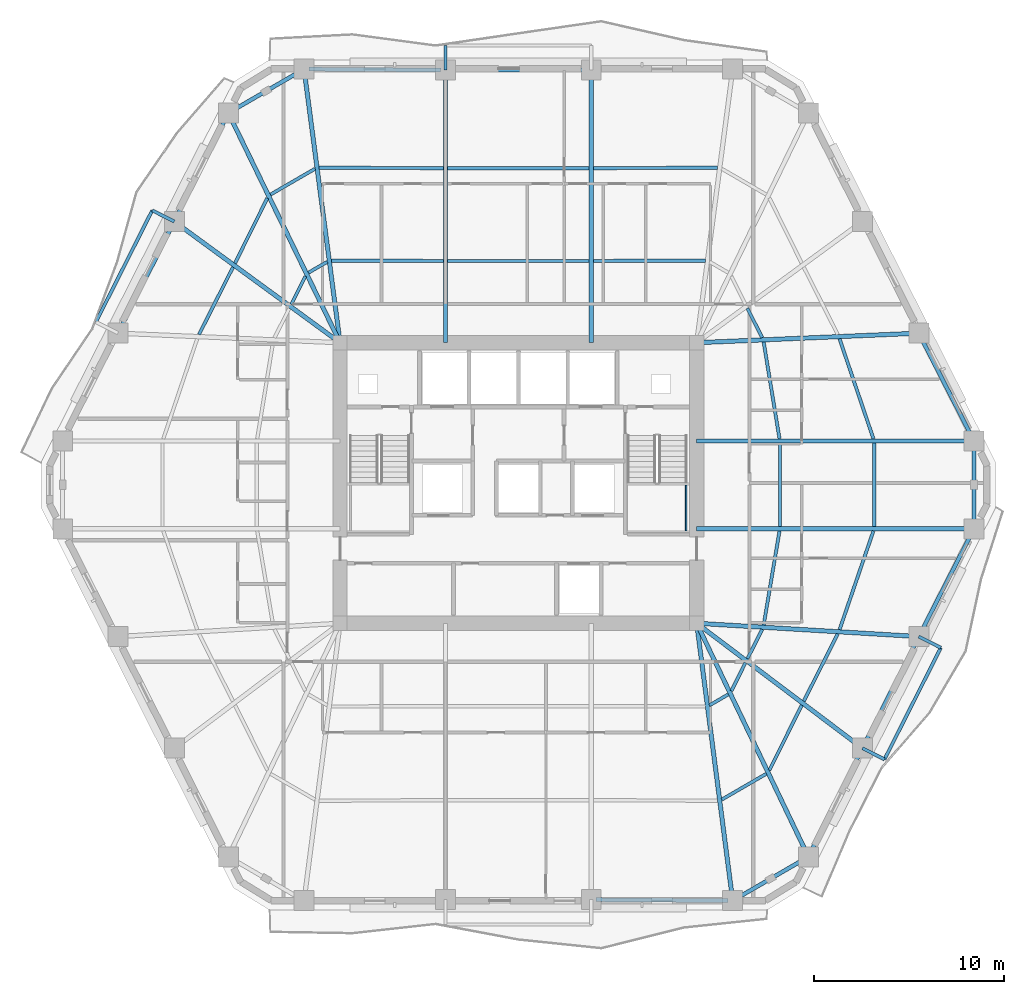
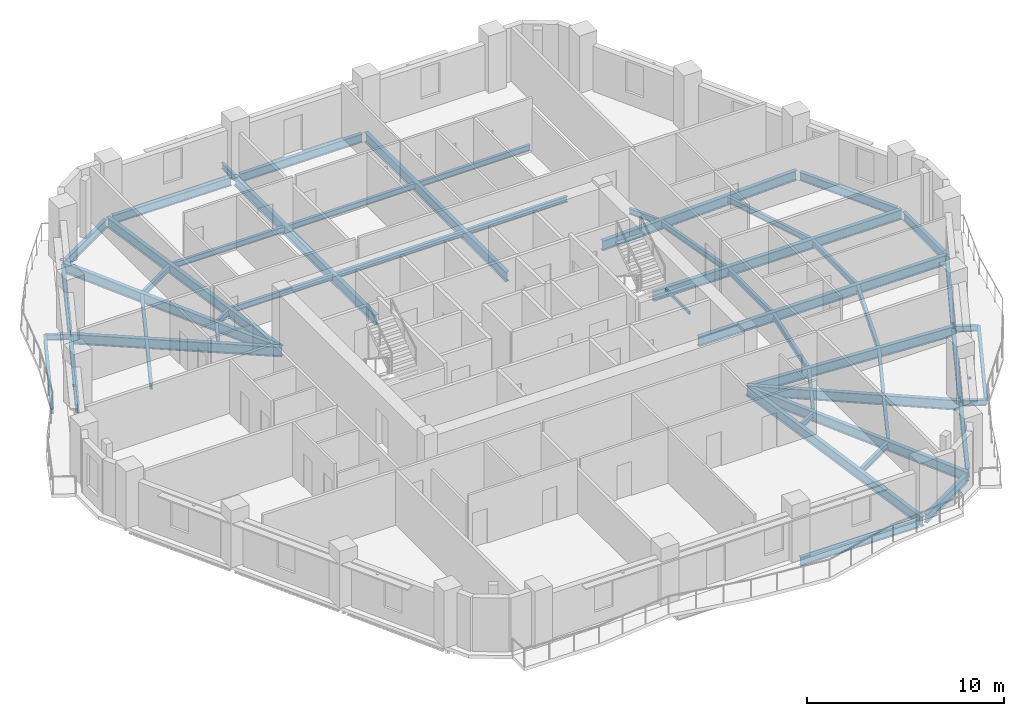
# One storey, part 2 of 12: 55 beams.
"""IFC4 building model written with IfcOpenShell, lengths in metres."""

from ifc_helpers import new_model, si_unit, direction, frame, origin, origin_2d, place, context, subcontext, project, spatial, hollow_rectangle, i_section, extrude, material, material_profile, profile_set, type_object, element, save


model = new_model("IFC4")

# Units and contexts
model_context = context("Model", 3, precision=1e-05, world=origin(), true_north=direction((0.0, 1.0)))
body_context = subcontext(model_context, "Body", "Model", "MODEL_VIEW")
ifc_project = project(units=[si_unit("LENGTHUNIT", "METRE"), si_unit("AREAUNIT", "SQUARE_METRE"), si_unit("VOLUMEUNIT", "CUBIC_METRE"), si_unit("PLANEANGLEUNIT", "RADIAN"), si_unit("MASSUNIT", "GRAM", prefix="KILO")], contexts=[model_context])

# Site, building, storey
site_placement = place(None, origin())
site = spatial("IfcSite", under=ifc_project, at=site_placement, CompositionType="ELEMENT")
building_placement = place(site_placement, origin())
building = spatial("IfcBuilding", under=site, at=building_placement, Name="Cinnabar Lancet Tower", CompositionType="ELEMENT")
storey_placement = place(building_placement, frame((0.0, 0.0, 137.449951171875)))
storey = spatial("IfcBuildingStorey", under=building, at=storey_placement, Name="L36", CompositionType="ELEMENT", Elevation=137.449951171875)

# Beams
ifc_material_1 = material(Name="Structural steel S355", Category="steel")
ifc_material_profile_1 = material_profile(ifc_material_1, i_section(OverallWidth=0.17138671875, OverallDepth=0.35498046875, WebThickness=0.00732421875, FlangeThickness=0.011474609375, FilletRadius=0.01025390625, at=origin_2d()), Name="UKB 356x171x51")
ifc_profile_set_1 = profile_set([ifc_material_profile_1], Name="Structural steel S355")
beam_type_1 = type_object("IfcBeamType", Name="STR-BM-JST-356", PredefinedType="JOIST", material=ifc_profile_set_1)
beam_1_placement = place(storey_placement, frame((43.093994140625, 9.251953125, -0.387939453125), z_axis=(0.865172906898, 0.501473669469, 0.0), x_axis=(-0.501473669469, 0.865172906898, 0.0)))
element("IfcBeam", 1, at=beam_1_placement, inside=storey, type_object=beam_type_1, Name="L36 Secondary Floor Joist 15", PredefinedType="JOIST", context=body_context, shape_type="SweptSolid", body=[
    extrude(i_section(OverallWidth=0.17138671875, OverallDepth=0.35498046875, WebThickness=0.00732421875, FlangeThickness=0.011474609375, FilletRadius=0.01025390625, at=origin_2d()), origin(), (0.0, 0.0, 1.0), 2.705810546875),
])
beam_2_placement = place(storey_placement, frame((42.449951171875, 14.2109375, -0.387939453125), z_axis=(0.865055308165, 0.501676503154, 0.0), x_axis=(-0.501676503154, 0.865055308165, 0.0)))
element("IfcBeam", 2, at=beam_2_placement, inside=storey, type_object=beam_type_1, Name="L36 Secondary Floor Joist 16", PredefinedType="JOIST", context=body_context, shape_type="SweptSolid", body=[
    extrude(i_section(OverallWidth=0.17138671875, OverallDepth=0.35498046875, WebThickness=0.00732421875, FlangeThickness=0.011474609375, FilletRadius=0.01025390625, at=origin_2d()), origin(), (0.0, 0.0, 1.0), 1.14208984375),
])
beam_3_placement = place(storey_placement, frame((45.59912109375, 10.7958984375, -0.387939453125), z_axis=(0.445295120803, 0.895383859241, 0.0), x_axis=(-0.895383859241, 0.445295120803, 0.0)))
element("IfcBeam", 3, at=beam_3_placement, inside=storey, type_object=beam_type_1, Name="L36 Secondary Floor Joist 17", PredefinedType="JOIST", context=body_context, shape_type="SweptSolid", body=[
    extrude(i_section(OverallWidth=0.17138671875, OverallDepth=0.35498046875, WebThickness=0.00732421875, FlangeThickness=0.011474609375, FilletRadius=0.01025390625, at=origin_2d()), origin(), (0.0, 0.0, 1.0), 3.81982421875),
])
beam_4_placement = place(storey_placement, frame((43.60205078125, 14.970947265625, -0.387939453125), z_axis=(0.44543923568, 0.895312173109, 0.0), x_axis=(-0.895312173109, 0.44543923568, 0.0)))
element("IfcBeam", 4, at=beam_4_placement, inside=storey, type_object=beam_type_1, Name="L36 Secondary Floor Joist 18", PredefinedType="JOIST", context=body_context, shape_type="SweptSolid", body=[
    extrude(i_section(OverallWidth=0.17138671875, OverallDepth=0.35498046875, WebThickness=0.00732421875, FlangeThickness=0.011474609375, FilletRadius=0.01025390625, at=origin_2d()), origin(), (0.0, 0.0, 1.0), 1.65185546875),
])
beam_5_placement = place(storey_placement, frame((47.404052734375, 14.424072265625, -0.387939453125), z_axis=(0.450706028652, 0.892672434736, 0.0), x_axis=(-0.892672434736, 0.450706028652, 0.0)))
element("IfcBeam", 5, at=beam_5_placement, inside=storey, type_object=beam_type_1, Name="L36 Secondary Floor Joist 19", PredefinedType="JOIST", context=body_context, shape_type="SweptSolid", body=[
    extrude(i_section(OverallWidth=0.17138671875, OverallDepth=0.35498046875, WebThickness=0.00732421875, FlangeThickness=0.011474609375, FilletRadius=0.01025390625, at=origin_2d()), origin(), (0.0, 0.0, 1.0), 3.966796875),
])
beam_6_placement = place(storey_placement, frame((44.44091796875, 16.657958984375, -0.387939453125), z_axis=(0.450874341268, 0.892587434589, 0.0), x_axis=(-0.892587434589, 0.450874341268, 0.0)))
element("IfcBeam", 6, at=beam_6_placement, inside=storey, type_object=beam_type_1, Name="L36 Secondary Floor Joist 20", PredefinedType="JOIST", context=body_context, shape_type="SweptSolid", body=[
    extrude(i_section(OverallWidth=0.17138671875, OverallDepth=0.35498046875, WebThickness=0.00732421875, FlangeThickness=0.011474609375, FilletRadius=0.01025390625, at=origin_2d()), origin(), (0.0, 0.0, 1.0), 1.732177734375),
])
beam_7_placement = place(storey_placement, frame((49.287109375, 18.18798828125, -0.387939453125), z_axis=(0.324639458548, 0.945837841257, 0.0), x_axis=(-0.945837841257, 0.324639458548, 0.0)))
element("IfcBeam", 7, at=beam_7_placement, inside=storey, type_object=beam_type_1, Name="L36 Secondary Floor Joist 21", PredefinedType="JOIST", context=body_context, shape_type="SweptSolid", body=[
    extrude(i_section(OverallWidth=0.17138671875, OverallDepth=0.35498046875, WebThickness=0.00732421875, FlangeThickness=0.011474609375, FilletRadius=0.01025390625, at=origin_2d()), origin(), (0.0, 0.0, 1.0), 5.486083984375),
])
beam_8_placement = place(storey_placement, frame((45.297119140625, 18.427978515625, -0.387939453125), z_axis=(0.165937104691, 0.986136338082, 0.0), x_axis=(-0.986136338082, 0.165937104691, 0.0)))
element("IfcBeam", 8, at=beam_8_placement, inside=storey, type_object=beam_type_1, Name="L36 Secondary Floor Joist 22", PredefinedType="JOIST", context=body_context, shape_type="SweptSolid", body=[
    extrude(i_section(OverallWidth=0.17138671875, OverallDepth=0.35498046875, WebThickness=0.00732421875, FlangeThickness=0.011474609375, FilletRadius=0.01025390625, at=origin_2d()), origin(), (0.0, 0.0, 1.0), 5.0185546875),
])
for number, where, z_axis, x_axis, name in (
    (9, (51.10693359375, 23.60498046875, -0.387939453125), (0.0, 1.0, 0.0), (-1.0, 0.0, 0.0), "L36 Secondary Floor Joist 23"),
    (10, (46.14990234375, 23.60498046875, -0.387939453125), (0.0, 1.0, 0.0), (-1.0, 0.0, 0.0), "L36 Secondary Floor Joist 24"),
):
    element("IfcBeam", number, at=place(storey_placement, frame(where, z_axis=z_axis, x_axis=x_axis)), inside=storey, type_object=beam_type_1, Name=name, PredefinedType="JOIST", context=body_context, shape_type="SweptSolid", body=[
        extrude(i_section(OverallWidth=0.17138671875, OverallDepth=0.35498046875, WebThickness=0.00732421875, FlangeThickness=0.011474609375, FilletRadius=0.01025390625, at=origin_2d()), origin(), (0.0, 0.0, 1.0), 4.39013671875),
    ])
beam_9_placement = place(storey_placement, frame((51.069091796875, 28.222900390625, -0.387939453125), z_axis=(-0.321063338019, 0.947057724207, 0.0), x_axis=(-0.947057724207, -0.321063338019, 0.0)))
element("IfcBeam", 11, at=beam_9_placement, inside=storey, type_object=beam_type_1, Name="L36 Secondary Floor Joist 25", PredefinedType="JOIST", context=body_context, shape_type="SweptSolid", body=[
    extrude(i_section(OverallWidth=0.17138671875, OverallDepth=0.35498046875, WebThickness=0.00732421875, FlangeThickness=0.011474609375, FilletRadius=0.01025390625, at=origin_2d()), origin(), (0.0, 0.0, 1.0), 5.553955078125),
])
beam_10_placement = place(storey_placement, frame((46.131103515625, 28.222900390625, -0.387939453125), z_axis=(-0.161719098977, 0.986836832017, 0.0), x_axis=(-0.986836832017, -0.161719098977, 0.0)))
element("IfcBeam", 12, at=beam_10_placement, inside=storey, type_object=beam_type_1, Name="L36 Secondary Floor Joist 26", PredefinedType="JOIST", context=body_context, shape_type="SweptSolid", body=[
    extrude(i_section(OverallWidth=0.17138671875, OverallDepth=0.35498046875, WebThickness=0.00732421875, FlangeThickness=0.011474609375, FilletRadius=0.01025390625, at=origin_2d()), origin(), (0.0, 0.0, 1.0), 5.156982421875),
])
beam_11_placement = place(storey_placement, frame((45.221923828125, 33.537109375, -0.387939453125), z_axis=(-0.450931068976, 0.892558777354, 0.0), x_axis=(-0.892558777354, -0.450931068976, 0.0)))
element("IfcBeam", 13, at=beam_11_placement, inside=storey, type_object=beam_type_1, Name="L36 Secondary Floor Joist 28", PredefinedType="JOIST", context=body_context, shape_type="SweptSolid", body=[
    extrude(i_section(OverallWidth=0.17138671875, OverallDepth=0.35498046875, WebThickness=0.00732421875, FlangeThickness=0.011474609375, FilletRadius=0.01025390625, at=origin_2d()), origin(), (0.0, 0.0, 1.0), 1.73193359375),
])
beam_12_placement = place(storey_placement, frame((42.8720703125, 42.48095703125, -0.387939453125), z_axis=(-0.999987991898, -0.004900618269, 0.0), x_axis=(0.004900618269, -0.999987991898, 0.0)))
element("IfcBeam", 14, at=beam_12_placement, inside=storey, type_object=beam_type_1, Name="L36 Secondary Floor Joist 33", PredefinedType="JOIST", context=body_context, shape_type="SweptSolid", body=[
    extrude(i_section(OverallWidth=0.17138671875, OverallDepth=0.35498046875, WebThickness=0.00732421875, FlangeThickness=0.011474609375, FilletRadius=0.01025390625, at=origin_2d()), origin(), (0.0, 0.0, 1.0), 6.526123046875),
])
beam_13_placement = place(storey_placement, frame((42.22802734375, 37.591064453125, -0.387939453125), z_axis=(-0.999996247906, -0.002739374605, 0.0), x_axis=(0.002739374605, -0.999996247906, 0.0)))
element("IfcBeam", 15, at=beam_13_placement, inside=storey, type_object=beam_type_1, Name="L36 Secondary Floor Joist 34", PredefinedType="JOIST", context=body_context, shape_type="SweptSolid", body=[
    extrude(i_section(OverallWidth=0.17138671875, OverallDepth=0.35498046875, WebThickness=0.00732421875, FlangeThickness=0.011474609375, FilletRadius=0.01025390625, at=origin_2d()), origin(), (0.0, 0.0, 1.0), 5.882080078125),
])
for number, where, z_axis, x_axis, name in (
    (16, (36.117919921875, 42.447998046875, -0.387939453125), (-1.0, 0.0, 0.0), (0.0, -1.0, 0.0), "L36 Secondary Floor Joist 35"),
    (17, (36.117919921875, 37.574951171875, -0.387939453125), (-1.0, 0.0, 0.0), (0.0, -1.0, 0.0), "L36 Secondary Floor Joist 36"),
):
    element("IfcBeam", number, at=place(storey_placement, frame(where, z_axis=z_axis, x_axis=x_axis)), inside=storey, type_object=beam_type_1, Name=name, PredefinedType="JOIST", context=body_context, shape_type="SweptSolid", body=[
        extrude(i_section(OverallWidth=0.17138671875, OverallDepth=0.35498046875, WebThickness=0.00732421875, FlangeThickness=0.011474609375, FilletRadius=0.01025390625, at=origin_2d()), origin(), (0.0, 0.0, 1.0), 7.43603515625),
    ])
beam_14_placement = place(storey_placement, frame((28.4541015625, 42.448974609375, -0.387939453125), z_axis=(-0.999987991898, 0.004900618269, 0.0), x_axis=(-0.004900618269, -0.999987991898, 0.0)))
element("IfcBeam", 18, at=beam_14_placement, inside=storey, type_object=beam_type_1, Name="L36 Secondary Floor Joist 37", PredefinedType="JOIST", context=body_context, shape_type="SweptSolid", body=[
    extrude(i_section(OverallWidth=0.17138671875, OverallDepth=0.35498046875, WebThickness=0.00732421875, FlangeThickness=0.011474609375, FilletRadius=0.01025390625, at=origin_2d()), origin(), (0.0, 0.0, 1.0), 6.526123046875),
])
beam_15_placement = place(storey_placement, frame((28.4541015625, 37.574951171875, -0.387939453125), z_axis=(-0.999996247906, 0.002739374605, 0.0), x_axis=(-0.002739374605, -0.999996247906, 0.0)))
element("IfcBeam", 19, at=beam_15_placement, inside=storey, type_object=beam_type_1, Name="L36 Secondary Floor Joist 38", PredefinedType="JOIST", context=body_context, shape_type="SweptSolid", body=[
    extrude(i_section(OverallWidth=0.17138671875, OverallDepth=0.35498046875, WebThickness=0.00732421875, FlangeThickness=0.011474609375, FilletRadius=0.01025390625, at=origin_2d()), origin(), (0.0, 0.0, 1.0), 5.882080078125),
])
beam_16_placement = place(storey_placement, frame((21.7060546875, 42.419921875, -0.387939453125), z_axis=(-0.865172906898, -0.501473669469, 0.0), x_axis=(0.501473669469, -0.865172906898, 0.0)))
element("IfcBeam", 20, at=beam_16_placement, inside=storey, type_object=beam_type_1, Name="L36 Secondary Floor Joist 39", PredefinedType="JOIST", context=body_context, shape_type="SweptSolid", body=[
    extrude(i_section(OverallWidth=0.17138671875, OverallDepth=0.35498046875, WebThickness=0.00732421875, FlangeThickness=0.011474609375, FilletRadius=0.01025390625, at=origin_2d()), origin(), (0.0, 0.0, 1.0), 2.705810546875),
])
beam_17_placement = place(storey_placement, frame((22.35009765625, 37.529052734375, -0.387939453125), z_axis=(-0.865055308165, -0.501676503154, 0.0), x_axis=(0.501676503154, -0.865055308165, 0.0)))
element("IfcBeam", 21, at=beam_17_placement, inside=storey, type_object=beam_type_1, Name="L36 Secondary Floor Joist 40", PredefinedType="JOIST", context=body_context, shape_type="SweptSolid", body=[
    extrude(i_section(OverallWidth=0.17138671875, OverallDepth=0.35498046875, WebThickness=0.00732421875, FlangeThickness=0.011474609375, FilletRadius=0.01025390625, at=origin_2d()), origin(), (0.0, 0.0, 1.0), 1.14208984375),
])
beam_18_placement = place(storey_placement, frame((19.200927734375, 40.876953125, -0.387939453125), z_axis=(-0.445116798807, -0.895472520751, 0.0), x_axis=(0.895472520751, -0.445116798807, 0.0)))
element("IfcBeam", 22, at=beam_18_placement, inside=storey, type_object=beam_type_1, Name="L36 Secondary Floor Joist 41", PredefinedType="JOIST", context=body_context, shape_type="SweptSolid", body=[
    extrude(i_section(OverallWidth=0.17138671875, OverallDepth=0.35498046875, WebThickness=0.00732421875, FlangeThickness=0.011474609375, FilletRadius=0.01025390625, at=origin_2d()), origin(), (0.0, 0.0, 1.0), 3.8212890625),
])
beam_19_placement = place(storey_placement, frame((21.198974609375, 36.77001953125, -0.387939453125), z_axis=(-0.445795466264, -0.895134851438, 0.0), x_axis=(0.895134851438, -0.445795466264, 0.0)))
element("IfcBeam", 23, at=beam_19_placement, inside=storey, type_object=beam_type_1, Name="L36 Secondary Floor Joist 42", PredefinedType="JOIST", context=body_context, shape_type="SweptSolid", body=[
    extrude(i_section(OverallWidth=0.17138671875, OverallDepth=0.35498046875, WebThickness=0.00732421875, FlangeThickness=0.011474609375, FilletRadius=0.01025390625, at=origin_2d()), origin(), (0.0, 0.0, 1.0), 1.6533203125),
])
beam_20_placement = place(storey_placement, frame((17.39599609375, 37.2490234375, -0.387939453125), z_axis=(-0.450656035687, -0.892697674187, 0.0), x_axis=(0.892697674187, -0.450656035687, 0.0)))
element("IfcBeam", 24, at=beam_20_placement, inside=storey, type_object=beam_type_1, Name="L36 Secondary Floor Joist 43", PredefinedType="JOIST", context=body_context, shape_type="SweptSolid", body=[
    extrude(i_section(OverallWidth=0.17138671875, OverallDepth=0.35498046875, WebThickness=0.00732421875, FlangeThickness=0.011474609375, FilletRadius=0.01025390625, at=origin_2d()), origin(), (0.0, 0.0, 1.0), 3.9677734375),
])
ifc_material_2 = material(Name="Structural steel S355", Category="steel")
ifc_material_profile_2 = material_profile(ifc_material_2, hollow_rectangle(XDim=0.10009765625, YDim=0.199951171875, WallThickness=0.008056640625, InnerFilletRadius=0.00390625, OuterFilletRadius=0.011962890625, at=origin_2d()), Name="RHS 200x100x8")
ifc_profile_set_2 = profile_set([ifc_material_profile_2], Name="Structural steel S355")
beam_type_2 = type_object("IfcBeamType", Name="STR-BM-LND-203", PredefinedType="BEAM", material=ifc_profile_set_2)
beam_21_placement = place(storey_placement, frame((41.219970703125, 23.3798828125, 1.47509765625), z_axis=(0.0, 1.0, 0.0), x_axis=(-1.0, 0.0, 0.0)))
element("IfcBeam", 25, at=beam_21_placement, inside=storey, type_object=beam_type_2, Name="L36 ST-2-L36 Landing Side Trimmer Beam", PredefinedType="BEAM", context=body_context, shape_type="SweptSolid", body=[
    extrude(hollow_rectangle(XDim=0.10009765625, YDim=0.199951171875, WallThickness=0.008056640625, InnerFilletRadius=0.00390625, OuterFilletRadius=0.011962890625, at=origin_2d()), origin(), (0.0, 0.0, 1.0), 2.4150390625),
])
ifc_material_3 = material(Name="Structural steel S355", Category="steel")
ifc_material_profile_3 = material_profile(ifc_material_3, i_section(OverallWidth=0.209228515625, OverallDepth=0.533203125, WebThickness=0.010009765625, FlangeThickness=0.015625, FilletRadius=0.0126953125, at=origin_2d()), Name="UKB 533x210x92")
ifc_profile_set_3 = profile_set([ifc_material_profile_3], Name="Structural steel S355")
beam_type_3 = type_object("IfcBeamType", Name="STR-BM-SPN-533", PredefinedType="SPANDREL", material=ifc_profile_set_3)
beam_22_placement = place(storey_placement, frame((36.48193359375, 3.989990234375, -0.47705078125), z_axis=(0.999974980359, -0.007073800628, 0.0), x_axis=(0.007073800628, 0.999974980359, 0.0)))
element("IfcBeam", 26, at=beam_22_placement, inside=storey, type_object=beam_type_3, Name="L36 Perimeter Spandrel 3", PredefinedType="SPANDREL", context=body_context, shape_type="SweptSolid", body=[
    extrude(i_section(OverallWidth=0.209228515625, OverallDepth=0.533203125, WebThickness=0.010009765625, FlangeThickness=0.015625, FilletRadius=0.0126953125, at=origin_2d()), origin(), (0.0, 0.0, 1.0), 6.937255859375),
])
beam_23_placement = place(storey_placement, frame((43.885009765625, 4.06396484375, -0.47705078125), z_axis=(0.865112299906, 0.501578217781, 0.0), x_axis=(-0.501578217781, 0.865112299906, 0.0)))
element("IfcBeam", 27, at=beam_23_placement, inside=storey, type_object=beam_type_3, Name="L36 Perimeter Spandrel 4", PredefinedType="SPANDREL", context=body_context, shape_type="SweptSolid", body=[
    extrude(i_section(OverallWidth=0.209228515625, OverallDepth=0.533203125, WebThickness=0.010009765625, FlangeThickness=0.015625, FilletRadius=0.0126953125, at=origin_2d()), origin(), (0.0, 0.0, 1.0), 4.101318359375),
])
beam_24_placement = place(storey_placement, frame((47.760009765625, 6.469970703125, -0.47705078125), z_axis=(0.445501068635, 0.89528140707, 0.0), x_axis=(-0.89528140707, 0.445501068635, 0.0)))
element("IfcBeam", 28, at=beam_24_placement, inside=storey, type_object=beam_type_3, Name="L36 Perimeter Spandrel 5", PredefinedType="SPANDREL", context=body_context, shape_type="SweptSolid", body=[
    extrude(i_section(OverallWidth=0.209228515625, OverallDepth=0.533203125, WebThickness=0.010009765625, FlangeThickness=0.015625, FilletRadius=0.0126953125, at=origin_2d()), origin(), (0.0, 0.0, 1.0), 5.87646484375),
])
beam_25_placement = place(storey_placement, frame((50.60205078125, 12.177978515625, -0.47705078125), z_axis=(0.450570325924, 0.892740937449, 0.0), x_axis=(-0.892740937449, 0.450570325924, 0.0)))
element("IfcBeam", 29, at=beam_25_placement, inside=storey, type_object=beam_type_3, Name="L36 Perimeter Spandrel 6", PredefinedType="SPANDREL", context=body_context, shape_type="SweptSolid", body=[
    extrude(i_section(OverallWidth=0.209228515625, OverallDepth=0.533203125, WebThickness=0.010009765625, FlangeThickness=0.015625, FilletRadius=0.0126953125, at=origin_2d()), origin(), (0.0, 0.0, 1.0), 6.07470703125),
])
beam_26_placement = place(storey_placement, frame((53.56591796875, 18.0458984375, -0.47705078125), z_axis=(0.456109733574, 0.889923542187, 0.0), x_axis=(-0.889923542187, 0.456109733574, 0.0)))
element("IfcBeam", 30, at=beam_26_placement, inside=storey, type_object=beam_type_3, Name="L36 Perimeter Spandrel 7", PredefinedType="SPANDREL", context=body_context, shape_type="SweptSolid", body=[
    extrude(i_section(OverallWidth=0.209228515625, OverallDepth=0.533203125, WebThickness=0.010009765625, FlangeThickness=0.015625, FilletRadius=0.0126953125, at=origin_2d()), origin(), (0.0, 0.0, 1.0), 5.869140625),
])
beam_27_placement = place(storey_placement, frame((56.35693359375, 23.740966796875, -0.47705078125), z_axis=(0.0, 1.0, 0.0), x_axis=(-1.0, 0.0, 0.0)))
element("IfcBeam", 31, at=beam_27_placement, inside=storey, type_object=beam_type_3, Name="L36 Perimeter Spandrel 8", PredefinedType="SPANDREL", context=body_context, shape_type="SweptSolid", body=[
    extrude(i_section(OverallWidth=0.209228515625, OverallDepth=0.533203125, WebThickness=0.010009765625, FlangeThickness=0.015625, FilletRadius=0.0126953125, at=origin_2d()), origin(), (0.0, 0.0, 1.0), 4.117919921875),
])
beam_28_placement = place(storey_placement, frame((56.242919921875, 28.3310546875, -0.47705078125), z_axis=(-0.456126618405, 0.889914888055, 0.0), x_axis=(-0.889914888055, -0.456126618405, 0.0)))
element("IfcBeam", 32, at=beam_28_placement, inside=storey, type_object=beam_type_3, Name="L36 Perimeter Spandrel 9", PredefinedType="SPANDREL", context=body_context, shape_type="SweptSolid", body=[
    extrude(i_section(OverallWidth=0.209228515625, OverallDepth=0.533203125, WebThickness=0.010009765625, FlangeThickness=0.015625, FilletRadius=0.0126953125, at=origin_2d()), origin(), (0.0, 0.0, 1.0), 5.868896484375),
])
beam_29_placement = place(storey_placement, frame((35.98193359375, 47.60791015625, -0.47705078125), z_axis=(-1.0, 0.0, 0.0), x_axis=(0.0, -1.0, 0.0)))
element("IfcBeam", 33, at=beam_29_placement, inside=storey, type_object=beam_type_3, Name="L36 Perimeter Spandrel 14", PredefinedType="SPANDREL", context=body_context, shape_type="SweptSolid", body=[
    extrude(i_section(OverallWidth=0.209228515625, OverallDepth=0.533203125, WebThickness=0.010009765625, FlangeThickness=0.015625, FilletRadius=0.0126953125, at=origin_2d()), origin(), (0.0, 0.0, 1.0), 7.163818359375),
])
beam_30_placement = place(storey_placement, frame((28.318115234375, 47.610107421875, -0.47705078125), z_axis=(-0.999975228682, 0.007038609338, 0.0), x_axis=(-0.007038609338, -0.999975228682, 0.0)))
element("IfcBeam", 34, at=beam_30_placement, inside=storey, type_object=beam_type_3, Name="L36 Perimeter Spandrel 15", PredefinedType="SPANDREL", context=body_context, shape_type="SweptSolid", body=[
    extrude(i_section(OverallWidth=0.209228515625, OverallDepth=0.533203125, WebThickness=0.010009765625, FlangeThickness=0.015625, FilletRadius=0.0126953125, at=origin_2d()), origin(), (0.0, 0.0, 1.0), 6.937255859375),
])
beam_31_placement = place(storey_placement, frame((20.9150390625, 47.535888671875, -0.47705078125), z_axis=(-0.865138129765, -0.5015336643, 0.0), x_axis=(0.5015336643, -0.865138129765, 0.0)))
element("IfcBeam", 35, at=beam_31_placement, inside=storey, type_object=beam_type_3, Name="L36 Perimeter Spandrel 16", PredefinedType="SPANDREL", context=body_context, shape_type="SweptSolid", body=[
    extrude(i_section(OverallWidth=0.209228515625, OverallDepth=0.533203125, WebThickness=0.010009765625, FlangeThickness=0.015625, FilletRadius=0.0126953125, at=origin_2d()), origin(), (0.0, 0.0, 1.0), 4.10107421875),
])
beam_32_placement = place(storey_placement, frame((17.0400390625, 45.1298828125, -0.47705078125), z_axis=(-0.445501068635, -0.89528140707, 0.0), x_axis=(0.89528140707, -0.445501068635, 0.0)))
element("IfcBeam", 36, at=beam_32_placement, inside=storey, type_object=beam_type_3, Name="L36 Perimeter Spandrel 17", PredefinedType="SPANDREL", context=body_context, shape_type="SweptSolid", body=[
    extrude(i_section(OverallWidth=0.209228515625, OverallDepth=0.533203125, WebThickness=0.010009765625, FlangeThickness=0.015625, FilletRadius=0.0126953125, at=origin_2d()), origin(), (0.0, 0.0, 1.0), 5.87646484375),
])
beam_33_placement = place(storey_placement, frame((14.197998046875, 39.422119140625, -0.47705078125), z_axis=(-0.450570325924, -0.892740937449, 0.0), x_axis=(0.892740937449, -0.450570325924, 0.0)))
element("IfcBeam", 37, at=beam_33_placement, inside=storey, type_object=beam_type_3, Name="L36 Perimeter Spandrel 18", PredefinedType="SPANDREL", context=body_context, shape_type="SweptSolid", body=[
    extrude(i_section(OverallWidth=0.209228515625, OverallDepth=0.533203125, WebThickness=0.010009765625, FlangeThickness=0.015625, FilletRadius=0.0126953125, at=origin_2d()), origin(), (0.0, 0.0, 1.0), 6.07470703125),
])
ifc_material_4 = material(Name="Structural steel S355", Category="steel")
ifc_material_profile_4 = material_profile(ifc_material_4, i_section(OverallWidth=0.228271484375, OverallDepth=0.607666015625, WebThickness=0.010986328125, FlangeThickness=0.017333984375, FilletRadius=0.0126953125, at=origin_2d()), Name="UKB 610x229x113")
ifc_profile_set_4 = profile_set([ifc_material_profile_4], Name="Structural steel S355")
beam_type_4 = type_object("IfcBeamType", Name="STR-BM-UKB610-113", PredefinedType="BEAM", material=ifc_profile_set_4)
beam_34_placement = place(storey_placement, frame((50.489013671875, 11.955078125, -0.513916015625), z_axis=(-0.798491457835, 0.602006139308, 0.0), x_axis=(-0.602006139308, -0.798491457835, 0.0)))
element("IfcBeam", 38, at=beam_34_placement, inside=storey, type_object=beam_type_4, Name="L36 Corner Collector Girder 2", PredefinedType="BEAM", context=body_context, shape_type="SweptSolid", body=[
    extrude(i_section(OverallWidth=0.228271484375, OverallDepth=0.607666015625, WebThickness=0.010986328125, FlangeThickness=0.017333984375, FilletRadius=0.0126953125, at=origin_2d()), origin(), (0.0, 0.0, 1.0), 10.913330078125),
])
beam_35_placement = place(storey_placement, frame((14.31103515625, 39.64501953125, -0.513916015625), z_axis=(0.807289993592, -0.590154951048, 0.0), x_axis=(0.590154951048, 0.807289993592, 0.0)))
element("IfcBeam", 39, at=beam_35_placement, inside=storey, type_object=beam_type_4, Name="L36 Corner Collector Girder 4", PredefinedType="BEAM", context=body_context, shape_type="SweptSolid", body=[
    extrude(i_section(OverallWidth=0.228271484375, OverallDepth=0.607666015625, WebThickness=0.010986328125, FlangeThickness=0.017333984375, FilletRadius=0.0126953125, at=origin_2d()), origin(), (0.0, 0.0, 1.0), 10.7939453125),
])
beam_36_placement = place(storey_placement, frame((43.6689453125, 3.93896484375, -0.513916015625), z_axis=(-0.12877289353, 0.99167411073, 0.0), x_axis=(-0.99167411073, -0.12877289353, 0.0)))
element("IfcBeam", 40, at=beam_36_placement, inside=storey, type_object=beam_type_4, Name="L36 Primary Floor Girder 4", PredefinedType="BEAM", context=body_context, shape_type="SweptSolid", body=[
    extrude(i_section(OverallWidth=0.228271484375, OverallDepth=0.607666015625, WebThickness=0.010986328125, FlangeThickness=0.017333984375, FilletRadius=0.0126953125, at=origin_2d()), origin(), (0.0, 0.0, 1.0), 14.70849609375),
])
beam_37_placement = place(storey_placement, frame((47.64892578125, 6.24609375, -0.513916015625), z_axis=(-0.431548156881, 0.902089900339, 0.0), x_axis=(-0.902089900339, -0.431548156881, 0.0)))
element("IfcBeam", 41, at=beam_37_placement, inside=storey, type_object=beam_type_4, Name="L36 Primary Floor Girder 5", PredefinedType="BEAM", context=body_context, shape_type="SweptSolid", body=[
    extrude(i_section(OverallWidth=0.228271484375, OverallDepth=0.607666015625, WebThickness=0.010986328125, FlangeThickness=0.017333984375, FilletRadius=0.0126953125, at=origin_2d()), origin(), (0.0, 0.0, 1.0), 13.611572265625),
])
beam_38_placement = place(storey_placement, frame((53.451904296875, 17.823974609375, -0.513916015625), z_axis=(-0.998203272991, 0.059918492897, 0.0), x_axis=(-0.059918492897, -0.998203272991, 0.0)))
element("IfcBeam", 42, at=beam_38_placement, inside=storey, type_object=beam_type_4, Name="L36 Primary Floor Girder 7", PredefinedType="BEAM", context=body_context, shape_type="SweptSolid", body=[
    extrude(i_section(OverallWidth=0.228271484375, OverallDepth=0.607666015625, WebThickness=0.010986328125, FlangeThickness=0.017333984375, FilletRadius=0.0126953125, at=origin_2d()), origin(), (0.0, 0.0, 1.0), 11.697998046875),
])
for number, where, z_axis, x_axis, name in (
    (43, (56.35693359375, 23.490966796875, -0.513916015625), (-1.0, 0.0, 0.0), (0.0, -1.0, 0.0), "L36 Primary Floor Girder 8"),
    (44, (56.35693359375, 28.10888671875, -0.513916015625), (-1.0, 0.0, 0.0), (0.0, -1.0, 0.0), "L36 Primary Floor Girder 9"),
):
    element("IfcBeam", number, at=place(storey_placement, frame(where, z_axis=z_axis, x_axis=x_axis)), inside=storey, type_object=beam_type_4, Name=name, PredefinedType="BEAM", context=body_context, shape_type="SweptSolid", body=[
        extrude(i_section(OverallWidth=0.228271484375, OverallDepth=0.607666015625, WebThickness=0.010986328125, FlangeThickness=0.017333984375, FilletRadius=0.0126953125, at=origin_2d()), origin(), (0.0, 0.0, 1.0), 14.58203125),
    ])
beam_39_placement = place(storey_placement, frame((53.451904296875, 33.77587890625, -0.513916015625), z_axis=(-0.999080941658, -0.042863411158, 0.0), x_axis=(0.042863411158, -0.999080941658, 0.0)))
element("IfcBeam", 45, at=beam_39_placement, inside=storey, type_object=beam_type_4, Name="L36 Primary Floor Girder 10", PredefinedType="BEAM", context=body_context, shape_type="SweptSolid", body=[
    extrude(i_section(OverallWidth=0.228271484375, OverallDepth=0.607666015625, WebThickness=0.010986328125, FlangeThickness=0.017333984375, FilletRadius=0.0126953125, at=origin_2d()), origin(), (0.0, 0.0, 1.0), 11.687744140625),
])
for number, where, z_axis, x_axis, name in (
    (46, (36.23193359375, 47.60791015625, -0.513916015625), (0.0, -1.0, 0.0), (1.0, 0.0, 0.0), "L36 Primary Floor Girder 14"),
    (47, (28.568115234375, 47.60791015625, -0.513916015625), (0.0, -1.0, 0.0), (1.0, 0.0, 0.0), "L36 Primary Floor Girder 15"),
):
    element("IfcBeam", number, at=place(storey_placement, frame(where, z_axis=z_axis, x_axis=x_axis)), inside=storey, type_object=beam_type_4, Name=name, PredefinedType="BEAM", context=body_context, shape_type="SweptSolid", body=[
        extrude(i_section(OverallWidth=0.228271484375, OverallDepth=0.607666015625, WebThickness=0.010986328125, FlangeThickness=0.017333984375, FilletRadius=0.0126953125, at=origin_2d()), origin(), (0.0, 0.0, 1.0), 14.3330078125),
    ])
beam_40_placement = place(storey_placement, frame((21.131103515625, 47.660888671875, -0.513916015625), z_axis=(0.130515881524, -0.991446218748, 0.0), x_axis=(0.991446218748, 0.130515881524, 0.0)))
element("IfcBeam", 48, at=beam_40_placement, inside=storey, type_object=beam_type_4, Name="L36 Primary Floor Girder 16", PredefinedType="BEAM", context=body_context, shape_type="SweptSolid", body=[
    extrude(i_section(OverallWidth=0.228271484375, OverallDepth=0.607666015625, WebThickness=0.010986328125, FlangeThickness=0.017333984375, FilletRadius=0.0126953125, at=origin_2d()), origin(), (0.0, 0.0, 1.0), 14.510009765625),
])
beam_41_placement = place(storey_placement, frame((17.15087890625, 45.35400390625, -0.513916015625), z_axis=(0.437327473227, -0.899302330232, 0.0), x_axis=(0.899302330232, 0.437327473227, 0.0)))
element("IfcBeam", 49, at=beam_41_placement, inside=storey, type_object=beam_type_4, Name="L36 Primary Floor Girder 17", PredefinedType="BEAM", context=body_context, shape_type="SweptSolid", body=[
    extrude(i_section(OverallWidth=0.228271484375, OverallDepth=0.607666015625, WebThickness=0.010986328125, FlangeThickness=0.017333984375, FilletRadius=0.0126953125, at=origin_2d()), origin(), (0.0, 0.0, 1.0), 13.431640625),
])
ifc_material_5 = material(Name="Structural steel S355", Category="steel")
ifc_material_profile_5 = material_profile(ifc_material_5, i_section(OverallWidth=0.17138671875, OverallDepth=0.35498046875, WebThickness=0.00732421875, FlangeThickness=0.011474609375, FilletRadius=0.01025390625, at=origin_2d()), Name="UKB 356x171x51")
ifc_profile_set_5 = profile_set([ifc_material_profile_5], Name="Structural steel S355")
beam_type_5 = type_object("IfcBeamType", Name="STR-BM-WAV-OUT", PredefinedType="BEAM", material=ifc_profile_set_5)
for number, where, z_axis, x_axis, name in (
    (50, (50.489013671875, 11.955078125, -0.39794921875), (0.892200264127, -0.451639998995, 0.0), (0.451639998995, 0.892200264127, 0.0), "L36 Face 2 Balcony Outlooker A"),
    (51, (53.451904296875, 17.823974609375, -0.39794921875), (0.892314203325, -0.451414845285, 0.0), (0.451414845285, 0.892314203325, 0.0), "L36 Face 2 Balcony Outlooker B"),
    (52, (28.568115234375, 47.60791015625, -0.39794921875), (0.0, 1.0, 0.0), (-1.0, 0.0, 0.0), "L36 Face 4 Balcony Outlooker B"),
    (53, (14.31103515625, 39.64501953125, -0.39794921875), (-0.892314203325, 0.451414845285, 0.0), (-0.451414845285, -0.892314203325, 0.0), "L36 Face 5 Balcony Outlooker A"),
):
    element("IfcBeam", number, at=place(storey_placement, frame(where, z_axis=z_axis, x_axis=x_axis)), inside=storey, type_object=beam_type_5, Name=name, PredefinedType="BEAM", context=body_context, shape_type="SweptSolid", body=[
        extrude(i_section(OverallWidth=0.17138671875, OverallDepth=0.35498046875, WebThickness=0.00732421875, FlangeThickness=0.011474609375, FilletRadius=0.01025390625, at=origin_2d()), origin(), (0.0, 0.0, 1.0), 1.300048828125),
    ])
ifc_material_6 = material(Name="Structural steel S355", Category="steel")
ifc_material_profile_6 = material_profile(ifc_material_6, i_section(OverallWidth=0.17138671875, OverallDepth=0.35498046875, WebThickness=0.00732421875, FlangeThickness=0.011474609375, FilletRadius=0.01025390625, at=origin_2d()), Name="UKB 356x171x51")
ifc_profile_set_6 = profile_set([ifc_material_profile_6], Name="Structural steel S355")
beam_type_6 = type_object("IfcBeamType", Name="STR-BM-WAV-TRIM", PredefinedType="SPANDREL", material=ifc_profile_set_6)
beam_42_placement = place(storey_placement, frame((51.64892578125, 11.367919921875, -0.39794921875), z_axis=(0.450685888317, 0.892682603209, 0.0), x_axis=(-0.892682603209, 0.450685888317, 0.0)))
element("IfcBeam", 54, at=beam_42_placement, inside=storey, type_object=beam_type_6, Name="L36 Face 2 Balcony Edge Trimmer", PredefinedType="SPANDREL", context=body_context, shape_type="SweptSolid", body=[
    extrude(i_section(OverallWidth=0.17138671875, OverallDepth=0.35498046875, WebThickness=0.00732421875, FlangeThickness=0.011474609375, FilletRadius=0.01025390625, at=origin_2d()), origin(), (0.0, 0.0, 1.0), 6.57470703125),
])
beam_43_placement = place(storey_placement, frame((13.15087890625, 40.23193359375, -0.39794921875), z_axis=(-0.450671236139, -0.892690000457, 0.0), x_axis=(0.892690000457, -0.450671236139, 0.0)))
element("IfcBeam", 55, at=beam_43_placement, inside=storey, type_object=beam_type_6, Name="L36 Face 5 Balcony Edge Trimmer", PredefinedType="SPANDREL", context=body_context, shape_type="SweptSolid", body=[
    extrude(i_section(OverallWidth=0.17138671875, OverallDepth=0.35498046875, WebThickness=0.00732421875, FlangeThickness=0.011474609375, FilletRadius=0.01025390625, at=origin_2d()), origin(), (0.0, 0.0, 1.0), 6.574462890625),
])

save(model, "model.ifc")
